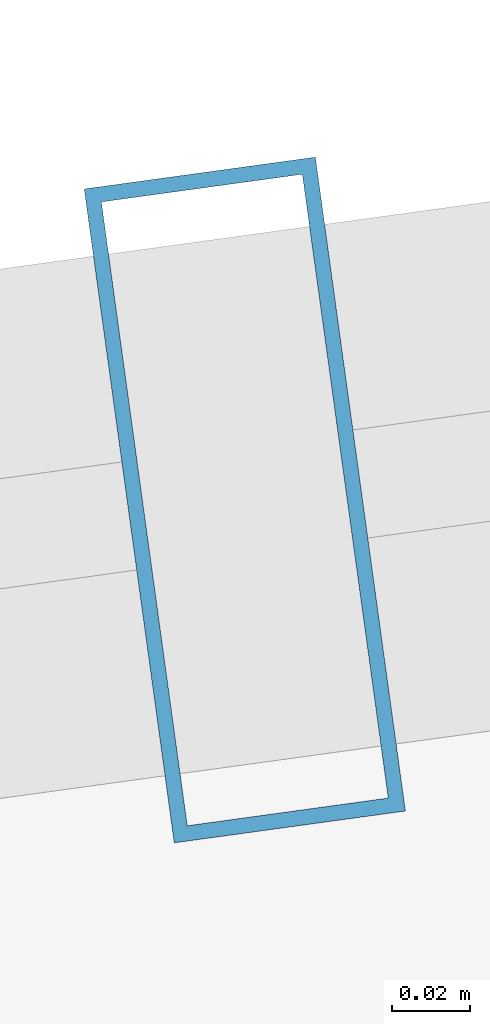
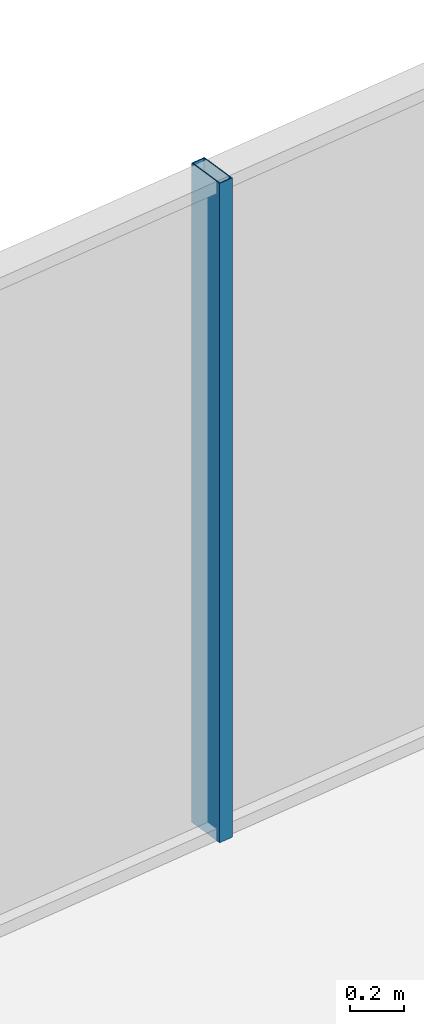
# One storey, part 25 of 37: 1 member, 1 element without a shape of its own.
"""IFC4 building model written with IfcOpenShell, lengths in metres."""

from ifc_helpers import new_model, si_unit, direction, frame, origin, origin_2d, place, context, subcontext, project, spatial, hollow_rectangle, extrude, source, transform, mapped, material, layer, layer_set, material_profile, profile_set, type_object, element, aggregate, save


model = new_model("IFC4")

# Units and contexts
model_context = context("Model", 3, precision=1e-05, world=origin(), true_north=direction((0.0, 1.0)))
body_context = subcontext(model_context, "Body", "Model", "MODEL_VIEW")
ifc_project = project(units=[si_unit("LENGTHUNIT", "METRE"), si_unit("AREAUNIT", "SQUARE_METRE"), si_unit("VOLUMEUNIT", "CUBIC_METRE"), si_unit("PLANEANGLEUNIT", "RADIAN"), si_unit("MASSUNIT", "GRAM", prefix="KILO")], contexts=[model_context])

# Site, building, storey
site_placement = place(None, origin())
site = spatial("IfcSite", under=ifc_project, at=site_placement, CompositionType="ELEMENT")
building_placement = place(site_placement, origin())
building = spatial("IfcBuilding", under=site, at=building_placement, Name="Veraguas Prism Commons", CompositionType="ELEMENT")
storey_placement = place(building_placement, frame((0.0, 0.0, 50.050048828125)))
storey = spatial("IfcBuildingStorey", under=building, at=storey_placement, Name="L13", CompositionType="ELEMENT", Elevation=50.050048828125)

# Curtain wall, member
ifc_material = material(Name="Anodised aluminium EN AW-6063 T6", Category="aluminium")
ifc_layer = layer(ifc_material, 0.169921875, Name="Unitised Flush Curtain Wall Zone 1", Category="aluminium")
ifc_layer_set = layer_set([ifc_layer], Name="Anodised aluminium EN AW-6063 T6")
curtain_wall_type = type_object("IfcCurtainWallType", Name="Unitised Flush Curtain Wall Zone 1", PredefinedType="NOTDEFINED", material=ifc_layer_set)
curtain_wall_placement = place(storey_placement, origin())
curtain_wall = element("IfcCurtainWall", 1, at=curtain_wall_placement, inside=storey, type_object=curtain_wall_type, Name="Tower Facade Curtain Wall L13-F2", PredefinedType="NOTDEFINED")
ifc_material_profile = material_profile(ifc_material, hollow_rectangle(XDim=0.06005859375, YDim=0.169921875, WallThickness=0.00390625, at=origin_2d()), Name="AL60X170X4")
ifc_profile_set = profile_set([ifc_material_profile], Name="Anodised aluminium EN AW-6063 T6")
member_type = type_object("IfcMemberType", Name="Curtain Wall Mullion Lower AL 60x170x4", PredefinedType="MULLION", material=ifc_profile_set)
shared_shape = source(origin(), body_context, "Body", "SweptSolid", [
    extrude(hollow_rectangle(XDim=0.06005859375, YDim=0.169921875, WallThickness=0.00390625, at=origin_2d()), origin(), (0.0, 0.0, 1.0), 3.0),
])
member_placement = place(storey_placement, frame((21.164794921875, 44.59033203125, 0.0), z_axis=(0.0, 0.0, 1.0), x_axis=(-0.99065308977, -0.136405482764, 0.0)))
member = element("IfcMember", 2, at=member_placement, type_object=member_type, Name="CW-Z1 Mullion 3", PredefinedType="MULLION", context=body_context, shape_type="MappedRepresentation", body=[
    mapped(shared_shape, transform((0.0, 0.0, 0.0), scale=1.0)),
])
aggregate(curtain_wall, [member])

save(model, "model.ifc")
